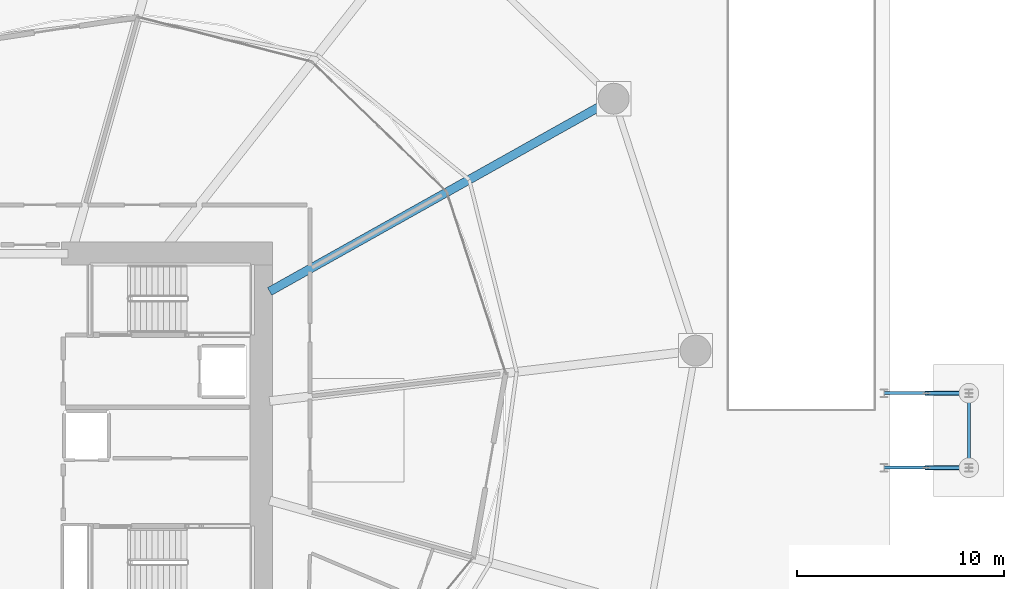
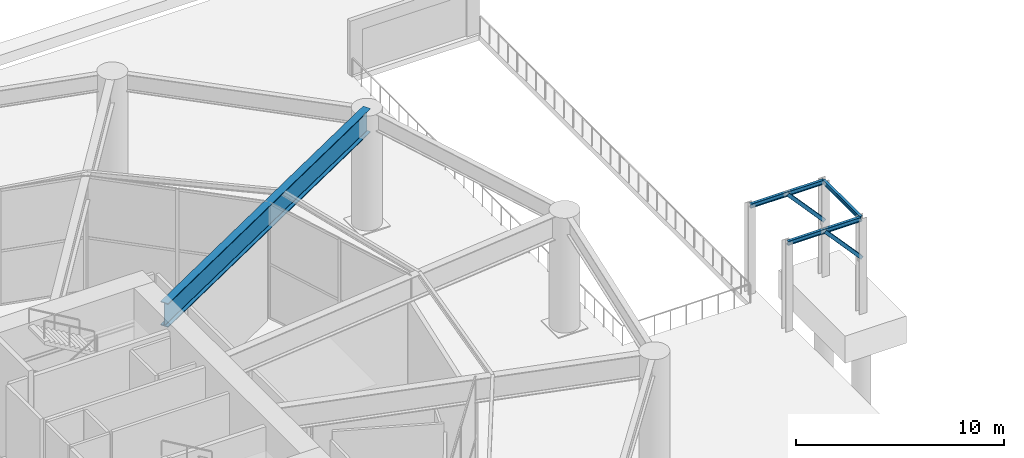
# One storey, part 15 of 28: 4 beams, 2 members.
"""IFC4 building model written with IfcOpenShell, lengths in metres."""

from ifc_helpers import new_model, si_unit, direction, frame, origin, origin_2d, place, context, subcontext, project, spatial, hollow_rectangle, i_section, extrude, material, material_profile, profile_set, type_object, element, save


model = new_model("IFC4")

# Units and contexts
model_context = context("Model", 3, precision=1e-05, world=origin(), true_north=direction((0.0, 1.0)))
body_context = subcontext(model_context, "Body", "Model", "MODEL_VIEW")
ifc_project = project(units=[si_unit("LENGTHUNIT", "METRE"), si_unit("AREAUNIT", "SQUARE_METRE"), si_unit("VOLUMEUNIT", "CUBIC_METRE"), si_unit("PLANEANGLEUNIT", "RADIAN"), si_unit("MASSUNIT", "GRAM", prefix="KILO")], contexts=[model_context])

# Site, building, storey
site_placement = place(None, origin())
site = spatial("IfcSite", under=ifc_project, at=site_placement, CompositionType="ELEMENT")
building_placement = place(site_placement, origin())
building = spatial("IfcBuilding", under=site, at=building_placement, Name="Kazma Halo Residences", CompositionType="ELEMENT")
storey_placement = place(building_placement, origin())
storey = spatial("IfcBuildingStorey", under=building, at=storey_placement, Name="L00", CompositionType="ELEMENT", Elevation=0.0)

# Beams
ifc_material = material(Name="Steel S355", Category="steel")
ifc_material_profile_1 = material_profile(ifc_material, i_section(OverallWidth=0.14599609375, OverallDepth=0.258056640625, WebThickness=0.006103515625, FlangeThickness=0.009033203125, FilletRadius=0.010009765625, at=origin_2d()), Name="W250x32.7")
ifc_profile_set_1 = profile_set([ifc_material_profile_1], Name="Steel S355")
beam_type_1 = type_object("IfcBeamType", Name="BM-CANOPY-W250", PredefinedType="BEAM", material=ifc_profile_set_1)
beam_1_placement = place(storey_placement, frame((93.800048828125, 40.199951171875, 5.070068359375), z_axis=(0.0, 1.0, 0.0), x_axis=(-1.0, 0.0, 0.0)))
element("IfcBeam", 1, at=beam_1_placement, inside=storey, type_object=beam_type_1, Name="Porte-cochere canopy header 2", PredefinedType="BEAM", context=body_context, shape_type="SweptSolid", body=[
    extrude(i_section(OverallWidth=0.14599609375, OverallDepth=0.258056640625, WebThickness=0.006103515625, FlangeThickness=0.009033203125, FilletRadius=0.010009765625, at=origin_2d()), origin(), (0.0, 0.0, 1.0), 3.60009765625),
])
for number, where, z_axis, x_axis, name in (
    (2, (93.800048828125, 40.199951171875, 5.070068359375), (-1.0, 0.0, 0.0), (0.0, -1.0, 0.0), "Porte-cochere canopy arm 2.1"),
    (3, (93.800048828125, 43.800048828125, 5.070068359375), (-1.0, 0.0, 0.0), (0.0, -1.0, 0.0), "Porte-cochere canopy arm 2.2"),
):
    element("IfcBeam", number, at=place(storey_placement, frame(where, z_axis=z_axis, x_axis=x_axis)), inside=storey, type_object=beam_type_1, Name=name, PredefinedType="BEAM", context=body_context, shape_type="SweptSolid", body=[
        extrude(i_section(OverallWidth=0.14599609375, OverallDepth=0.258056640625, WebThickness=0.006103515625, FlangeThickness=0.009033203125, FilletRadius=0.010009765625, at=origin_2d()), origin(), (0.0, 0.0, 1.0), 4.10009765625),
    ])
ifc_material_profile_2 = material_profile(ifc_material, i_section(OverallWidth=0.419921875, OverallDepth=1.39990234375, WebThickness=0.02587890625, FlangeThickness=0.048095703125, FilletRadius=0.02392578125, at=origin_2d()), Name="PG1400x580")
ifc_profile_set_2 = profile_set([ifc_material_profile_2], Name="Steel S355")
beam_type_2 = type_object("IfcBeamType", Name="BM-TRANS-PG1400", PredefinedType="BEAM", material=ifc_profile_set_2)
beam_2_placement = place(storey_placement, frame((60.0, 48.72021484375, 6.10009765625), z_axis=(0.872493349369, 0.488625987139, 0.0), x_axis=(-0.488625987139, 0.872493349369, 0.0)))
element("IfcBeam", 4, at=beam_2_placement, inside=storey, type_object=beam_type_2, Name="L00 lobe radial plate transfer girder 01", PredefinedType="BEAM", context=body_context, shape_type="SweptSolid", body=[
    extrude(i_section(OverallWidth=0.419921875, OverallDepth=1.39990234375, WebThickness=0.02587890625, FlangeThickness=0.048095703125, FilletRadius=0.02392578125, at=origin_2d()), origin(), (0.0, 0.0, 1.0), 19.0634765625),
])

# Members
ifc_material_profile_3 = material_profile(ifc_material, hollow_rectangle(XDim=0.199951171875, YDim=0.199951171875, WallThickness=0.010009765625, InnerFilletRadius=0.010009765625, OuterFilletRadius=0.02001953125, at=origin_2d()), Name="SHS200x200x10")
ifc_profile_set_3 = profile_set([ifc_material_profile_3], Name="Steel S355")
member_type = type_object("IfcMemberType", Name="MBR-CAN-SHS200", PredefinedType="STRUT", material=ifc_profile_set_3)
for number, where, z_axis, x_axis, name in (
    (5, (93.800048828125, 40.199951171875, 2.800048828125), (-0.670233791236, 0.0, 0.74215002869), (0.0, -1.0, 0.0), "Porte-cochere canopy strut 2.1"),
    (6, (93.800048828125, 43.800048828125, 2.800048828125), (-0.670233791236, 0.0, 0.74215002869), (0.0, -1.0, 0.0), "Porte-cochere canopy strut 2.2"),
):
    element("IfcMember", number, at=place(storey_placement, frame(where, z_axis=z_axis, x_axis=x_axis)), inside=storey, type_object=member_type, Name=name, PredefinedType="STRUT", context=body_context, shape_type="SweptSolid", body=[
        extrude(hollow_rectangle(XDim=0.199951171875, YDim=0.199951171875, WallThickness=0.010009765625, InnerFilletRadius=0.010009765625, OuterFilletRadius=0.02001953125, at=origin_2d()), origin(), (0.0, 0.0, 1.0), 3.05859375),
    ])

save(model, "model.ifc")
